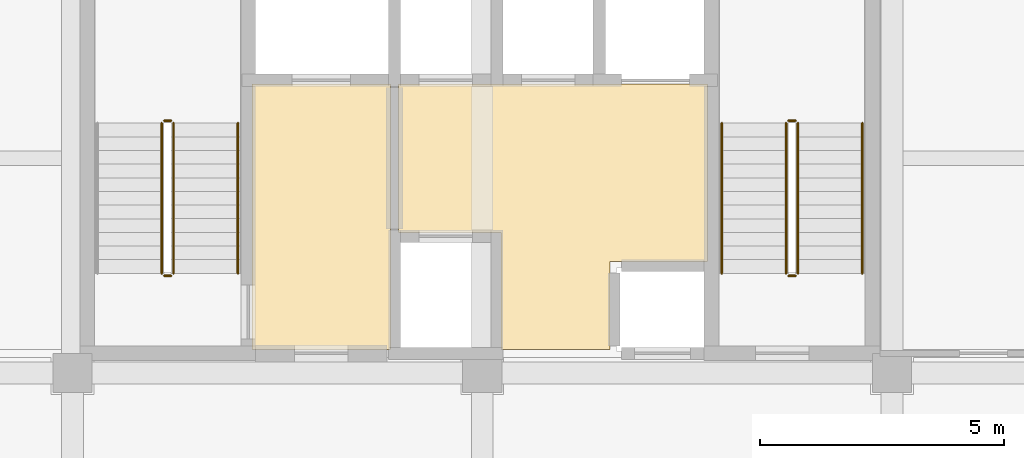
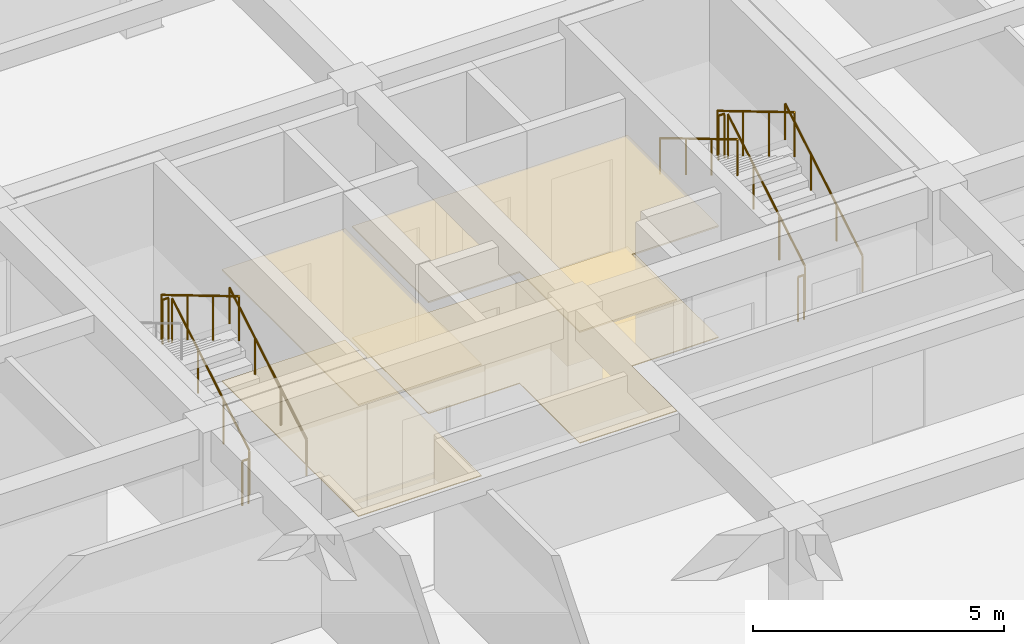
# One storey, part 48 of 49: 11 railings, 4 coverings.
"""IFC4 building model written with IfcOpenShell, lengths in metres."""

from ifc_helpers import new_model, si_unit, direction, frame, origin, origin_2d, place, context, subcontext, project, spatial, polyline, circle, outline, extrude, material, layer, layer_set, type_object, element, save


model = new_model("IFC4")

# Units and contexts
model_context = context("Model", 3, precision=1e-05, world=origin(), true_north=direction((0.0, 1.0)))
body_context = subcontext(model_context, "Body", "Model", "MODEL_VIEW")
ifc_project = project(units=[si_unit("LENGTHUNIT", "METRE"), si_unit("AREAUNIT", "SQUARE_METRE"), si_unit("VOLUMEUNIT", "CUBIC_METRE"), si_unit("PLANEANGLEUNIT", "RADIAN"), si_unit("MASSUNIT", "GRAM", prefix="KILO")], contexts=[model_context])

# Site, building, storey
site_placement = place(None, origin())
site = spatial("IfcSite", under=ifc_project, at=site_placement, CompositionType="ELEMENT")
building_placement = place(site_placement, origin())
building = spatial("IfcBuilding", under=site, at=building_placement, Name="Kemercrest Conservatory and Botanical Centre", CompositionType="ELEMENT")
storey_placement = place(building_placement, frame((0.0, 0.0, 13.199951171875)))
storey = spatial("IfcBuildingStorey", under=building, at=storey_placement, Name="L03", CompositionType="ELEMENT", Elevation=13.199951171875)

# Coverings
ifc_material_1 = material(Name="Perforated acoustic gypsum and mineral-fibre suspended ceiling", Category="gypsum")
ifc_layer_1 = layer(ifc_material_1, 0.034912109375)
ifc_layer_set_1 = layer_set([ifc_layer_1], Name="Perforated acoustic gypsum and mineral-fibre suspended ceiling")
covering_type_1 = type_object("IfcCoveringType", Name="CV-CLG035", PredefinedType="CEILING", material=ifc_layer_set_1)
covering_1_placement = place(storey_placement, frame((0.0, 0.0, 2.699951171875)))
element("IfcCovering", 1, at=covering_1_placement, inside=storey, type_object=covering_type_1, Name="Firefighting Lobby suspended acoustic ceiling", PredefinedType="CEILING", context=body_context, shape_type="SweptSolid", body=[
    extrude(outline(polyline([(154.47998046875, 105.280029296875), (157.320068359375, 105.280029296875), (157.320068359375, 110.719970703125), (154.47998046875, 110.719970703125), (154.47998046875, 105.280029296875)])), origin(), (0.0, 0.0, 1.0), 0.03515625),
])
covering_2_placement = place(storey_placement, frame((0.0, 0.0, 2.699951171875)))
element("IfcCovering", 2, at=covering_2_placement, inside=storey, type_object=covering_type_1, Name="Tower Lift Lobby suspended acoustic ceiling", PredefinedType="CEILING", context=body_context, shape_type="SweptSolid", body=[
    extrude(outline(polyline([(159.580078125, 107.679931640625), (159.580078125, 105.280029296875), (161.820068359375, 105.280029296875), (161.820068359375, 107.080078125), (163.820068359375, 107.080078125), (163.820068359375, 110.719970703125), (157.47998046875, 110.719970703125), (157.47998046875, 107.679931640625), (159.580078125, 107.679931640625)])), origin(), (0.0, 0.0, 1.0), 0.03515625),
])
ifc_material_2 = material(Name="Polished limestone terrazzo and seamless laboratory epoxy flooring", Category="masonry")
ifc_layer_2 = layer(ifc_material_2, 0.02001953125)
ifc_layer_set_2 = layer_set([ifc_layer_2], Name="Polished limestone terrazzo and seamless laboratory epoxy flooring")
covering_type_2 = type_object("IfcCoveringType", Name="CV-FLR020", PredefinedType="FLOORING", material=ifc_layer_set_2)
covering_3_placement = place(storey_placement, origin())
element("IfcCovering", 3, at=covering_3_placement, inside=storey, type_object=covering_type_2, Name="Firefighting Lobby floor finish", PredefinedType="FLOORING", context=body_context, shape_type="SweptSolid", body=[
    extrude(outline(polyline([(154.47998046875, 105.280029296875), (157.320068359375, 105.280029296875), (157.320068359375, 110.719970703125), (154.47998046875, 110.719970703125), (154.47998046875, 105.280029296875)])), origin(), (0.0, 0.0, 1.0), 0.02001953125),
])
covering_4_placement = place(storey_placement, origin())
element("IfcCovering", 4, at=covering_4_placement, inside=storey, type_object=covering_type_2, Name="Tower Lift Lobby floor finish", PredefinedType="FLOORING", context=body_context, shape_type="SweptSolid", body=[
    extrude(outline(polyline([(159.580078125, 107.679931640625), (159.580078125, 105.280029296875), (161.820068359375, 105.280029296875), (161.820068359375, 107.080078125), (163.820068359375, 107.080078125), (163.820068359375, 110.719970703125), (157.47998046875, 110.719970703125), (157.47998046875, 107.679931640625), (159.580078125, 107.679931640625)])), origin(), (0.0, 0.0, 1.0), 0.02001953125),
])

# Railings
ifc_material_3 = material(Name="Painted galvanized steel tubular stair guardrail", Category="steel")
railing_type_1 = type_object("IfcRailingType", Name="GR-STR110", PredefinedType="GUARDRAIL", material=ifc_material_3)
railing_1_placement = place(storey_placement, frame((152.8701171875, 106.840087890625, 0.166748046875)))
element("IfcRailing", 5, at=railing_1_placement, inside=storey, type_object=railing_type_1, Name="L03 ST-V4A stair guard 1", PredefinedType="GUARDRAIL", context=body_context, shape_type="SweptSolid", body=[
    extrude(circle(Radius=0.02392578125, at=origin_2d()), frame((0.0, 0.0, 1.076171875), z_axis=(0.0, 0.859290745958, 0.51148745235), x_axis=(-1.0, 0.0, 0.0)), (0.0, 0.0, 1.0), 3.584228515625),
    extrude(circle(Radius=0.02099609375, at=origin_2d()), origin(), (0.0, 0.0, 1.0), 1.052001953125),
    extrude(circle(Radius=0.02099609375, at=origin_2d()), frame((0.0, 1.026611328125, 0.611083984375)), (0.0, 0.0, 1.0), 1.052001953125),
    extrude(circle(Radius=0.02099609375, at=origin_2d()), frame((0.0, 2.05322265625, 1.22216796875)), (0.0, 0.0, 1.0), 1.052001953125),
    extrude(circle(Radius=0.02099609375, at=origin_2d()), frame((0.0, 3.079833984375, 1.833251953125)), (0.0, 0.0, 1.0), 1.052001953125),
])
railing_2_placement = place(storey_placement, frame((152.820068359375, 109.969970703125, 2.0)))
element("IfcRailing", 6, at=railing_2_placement, inside=storey, type_object=railing_type_1, Name="L03 ST-V4A stair guard 2", PredefinedType="GUARDRAIL", context=body_context, shape_type="SweptSolid", body=[
    extrude(circle(Radius=0.02392578125, at=origin_2d()), frame((0.0, 0.0, 1.076171875), z_axis=(-1.0, 0.0, 0.0), x_axis=(0.0, -1.0, 0.0)), (0.0, 0.0, 1.0), 0.14013671875),
    extrude(circle(Radius=0.02099609375, at=origin_2d()), origin(), (0.0, 0.0, 1.0), 1.052001953125),
    extrude(circle(Radius=0.02099609375, at=origin_2d()), frame((-0.14013671875, 0.0, 0.0)), (0.0, 0.0, 1.0), 1.052001953125),
])
railing_3_placement = place(storey_placement, frame((152.6298828125, 109.919921875, 2.166748046875)))
element("IfcRailing", 7, at=railing_3_placement, inside=storey, type_object=railing_type_1, Name="L03 ST-V4A stair guard 3", PredefinedType="GUARDRAIL", context=body_context, shape_type="SweptSolid", body=[
    extrude(circle(Radius=0.02392578125, at=origin_2d()), frame((0.0, 0.0, 1.076171875), z_axis=(0.0, -0.859290745958, 0.51148745235), x_axis=(1.0, 0.0, 0.0)), (0.0, 0.0, 1.0), 3.584228515625),
    extrude(circle(Radius=0.02099609375, at=origin_2d()), origin(), (0.0, 0.0, 1.0), 1.052001953125),
    extrude(circle(Radius=0.02099609375, at=origin_2d()), frame((0.0, -1.026611328125, 0.611083984375)), (0.0, 0.0, 1.0), 1.052001953125),
    extrude(circle(Radius=0.02099609375, at=origin_2d()), frame((0.0, -2.05322265625, 1.22216796875)), (0.0, 0.0, 1.0), 1.052001953125),
    extrude(circle(Radius=0.02099609375, at=origin_2d()), frame((0.0, -3.079833984375, 1.833251953125)), (0.0, 0.0, 1.0), 1.052001953125),
])
railing_4_placement = place(storey_placement, frame((152.820068359375, 106.7900390625, 0.0)))
element("IfcRailing", 8, at=railing_4_placement, inside=storey, type_object=railing_type_1, Name="L03 ST-V4A stair guard 4", PredefinedType="GUARDRAIL", context=body_context, shape_type="SweptSolid", body=[
    extrude(circle(Radius=0.02392578125, at=origin_2d()), frame((0.0, 0.0, 1.076171875), z_axis=(-1.0, 0.0, 0.0), x_axis=(0.0, -1.0, 0.0)), (0.0, 0.0, 1.0), 0.14013671875),
    extrude(circle(Radius=0.02099609375, at=origin_2d()), origin(), (0.0, 0.0, 1.0), 1.052001953125),
    extrude(circle(Radius=0.02099609375, at=origin_2d()), frame((-0.14013671875, 0.0, 0.0)), (0.0, 0.0, 1.0), 1.052001953125),
])
railing_5_placement = place(storey_placement, frame((165.669921875, 106.840087890625, 0.166748046875)))
element("IfcRailing", 9, at=railing_5_placement, inside=storey, type_object=railing_type_1, Name="L03 ST-V4B stair guard 1", PredefinedType="GUARDRAIL", context=body_context, shape_type="SweptSolid", body=[
    extrude(circle(Radius=0.02392578125, at=origin_2d()), frame((0.0, 0.0, 1.076171875), z_axis=(0.0, 0.859290745958, 0.51148745235), x_axis=(-1.0, 0.0, 0.0)), (0.0, 0.0, 1.0), 3.584228515625),
    extrude(circle(Radius=0.02099609375, at=origin_2d()), origin(), (0.0, 0.0, 1.0), 1.052001953125),
    extrude(circle(Radius=0.02099609375, at=origin_2d()), frame((0.0, 1.026611328125, 0.611083984375)), (0.0, 0.0, 1.0), 1.052001953125),
    extrude(circle(Radius=0.02099609375, at=origin_2d()), frame((0.0, 2.05322265625, 1.22216796875)), (0.0, 0.0, 1.0), 1.052001953125),
    extrude(circle(Radius=0.02099609375, at=origin_2d()), frame((0.0, 3.079833984375, 1.833251953125)), (0.0, 0.0, 1.0), 1.052001953125),
])
railing_6_placement = place(storey_placement, frame((165.6201171875, 109.969970703125, 2.0)))
element("IfcRailing", 10, at=railing_6_placement, inside=storey, type_object=railing_type_1, Name="L03 ST-V4B stair guard 2", PredefinedType="GUARDRAIL", context=body_context, shape_type="SweptSolid", body=[
    extrude(circle(Radius=0.02392578125, at=origin_2d()), frame((0.0, 0.0, 1.076171875), z_axis=(-1.0, 0.0, 0.0), x_axis=(0.0, -1.0, 0.0)), (0.0, 0.0, 1.0), 0.14013671875),
    extrude(circle(Radius=0.02099609375, at=origin_2d()), origin(), (0.0, 0.0, 1.0), 1.052001953125),
    extrude(circle(Radius=0.02099609375, at=origin_2d()), frame((-0.14013671875, 0.0, 0.0)), (0.0, 0.0, 1.0), 1.052001953125),
])
railing_7_placement = place(storey_placement, frame((165.429931640625, 109.919921875, 2.166748046875)))
element("IfcRailing", 11, at=railing_7_placement, inside=storey, type_object=railing_type_1, Name="L03 ST-V4B stair guard 3", PredefinedType="GUARDRAIL", context=body_context, shape_type="SweptSolid", body=[
    extrude(circle(Radius=0.02392578125, at=origin_2d()), frame((0.0, 0.0, 1.076171875), z_axis=(0.0, -0.859290745958, 0.51148745235), x_axis=(1.0, 0.0, 0.0)), (0.0, 0.0, 1.0), 3.584228515625),
    extrude(circle(Radius=0.02099609375, at=origin_2d()), origin(), (0.0, 0.0, 1.0), 1.052001953125),
    extrude(circle(Radius=0.02099609375, at=origin_2d()), frame((0.0, -1.026611328125, 0.611083984375)), (0.0, 0.0, 1.0), 1.052001953125),
    extrude(circle(Radius=0.02099609375, at=origin_2d()), frame((0.0, -2.05322265625, 1.22216796875)), (0.0, 0.0, 1.0), 1.052001953125),
    extrude(circle(Radius=0.02099609375, at=origin_2d()), frame((0.0, -3.079833984375, 1.833251953125)), (0.0, 0.0, 1.0), 1.052001953125),
])
railing_8_placement = place(storey_placement, frame((165.6201171875, 106.7900390625, 0.0)))
element("IfcRailing", 12, at=railing_8_placement, inside=storey, type_object=railing_type_1, Name="L03 ST-V4B stair guard 4", PredefinedType="GUARDRAIL", context=body_context, shape_type="SweptSolid", body=[
    extrude(circle(Radius=0.02392578125, at=origin_2d()), frame((0.0, 0.0, 1.076171875), z_axis=(-1.0, 0.0, 0.0), x_axis=(0.0, -1.0, 0.0)), (0.0, 0.0, 1.0), 0.14013671875),
    extrude(circle(Radius=0.02099609375, at=origin_2d()), origin(), (0.0, 0.0, 1.0), 1.052001953125),
    extrude(circle(Radius=0.02099609375, at=origin_2d()), frame((-0.14013671875, 0.0, 0.0)), (0.0, 0.0, 1.0), 1.052001953125),
])
ifc_material_4 = material(Name="Brushed stainless steel wall-mounted handrail", Category="steel")
railing_type_2 = type_object("IfcRailingType", Name="HR-STR090", PredefinedType="HANDRAIL", material=ifc_material_4)
for number, where, name in (
    (13, (154.18994140625, 106.840087890625, 0.166748046875), "L03 ST-V4A stair handrail 1"),
    (14, (166.989990234375, 106.840087890625, 0.166748046875), "L03 ST-V4B stair handrail 1"),
):
    element("IfcRailing", number, at=place(storey_placement, frame(where)), inside=storey, type_object=railing_type_2, Name=name, PredefinedType="HANDRAIL", context=body_context, shape_type="SweptSolid", body=[
        extrude(circle(Radius=0.02392578125, at=origin_2d()), frame((0.0, 0.0, 0.8759765625), z_axis=(0.0, 0.859290745958, 0.51148745235), x_axis=(-1.0, 0.0, 0.0)), (0.0, 0.0, 1.0), 3.584228515625),
        extrude(circle(Radius=0.02099609375, at=origin_2d()), origin(), (0.0, 0.0, 1.0), 0.851806640625),
        extrude(circle(Radius=0.02099609375, at=origin_2d()), frame((0.0, 1.026611328125, 0.611083984375)), (0.0, 0.0, 1.0), 0.851806640625),
        extrude(circle(Radius=0.02099609375, at=origin_2d()), frame((0.0, 2.05322265625, 1.22216796875)), (0.0, 0.0, 1.0), 0.851806640625),
        extrude(circle(Radius=0.02099609375, at=origin_2d()), frame((0.0, 3.079833984375, 1.833251953125)), (0.0, 0.0, 1.0), 0.851806640625),
    ])
railing_9_placement = place(storey_placement, frame((164.110107421875, 109.919921875, 2.166748046875)))
element("IfcRailing", 15, at=railing_9_placement, inside=storey, type_object=railing_type_2, Name="L03 ST-V4B stair handrail 2", PredefinedType="HANDRAIL", context=body_context, shape_type="SweptSolid", body=[
    extrude(circle(Radius=0.02392578125, at=origin_2d()), frame((0.0, 0.0, 0.8759765625), z_axis=(0.0, -0.859290745958, 0.51148745235), x_axis=(1.0, 0.0, 0.0)), (0.0, 0.0, 1.0), 3.584228515625),
    extrude(circle(Radius=0.02099609375, at=origin_2d()), origin(), (0.0, 0.0, 1.0), 0.851806640625),
    extrude(circle(Radius=0.02099609375, at=origin_2d()), frame((0.0, -1.026611328125, 0.611083984375)), (0.0, 0.0, 1.0), 0.851806640625),
    extrude(circle(Radius=0.02099609375, at=origin_2d()), frame((0.0, -2.05322265625, 1.22216796875)), (0.0, 0.0, 1.0), 0.851806640625),
    extrude(circle(Radius=0.02099609375, at=origin_2d()), frame((0.0, -3.079833984375, 1.833251953125)), (0.0, 0.0, 1.0), 0.851806640625),
])

save(model, "model.ifc")
